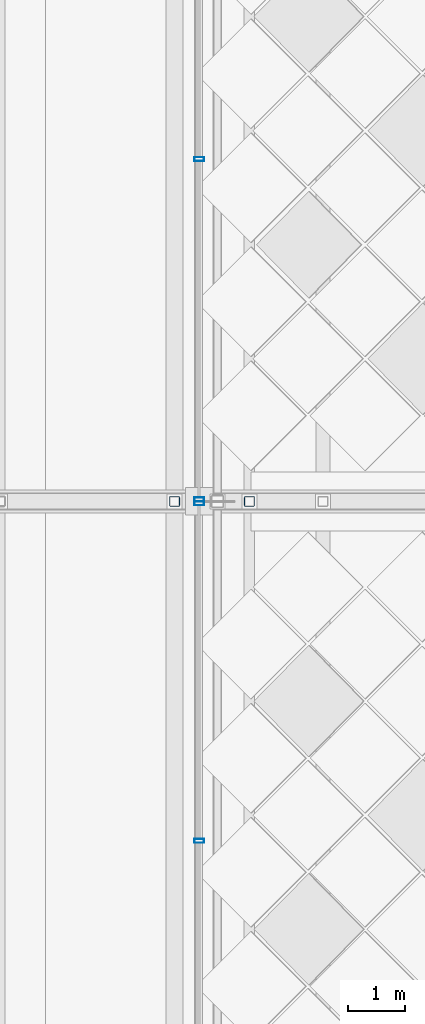
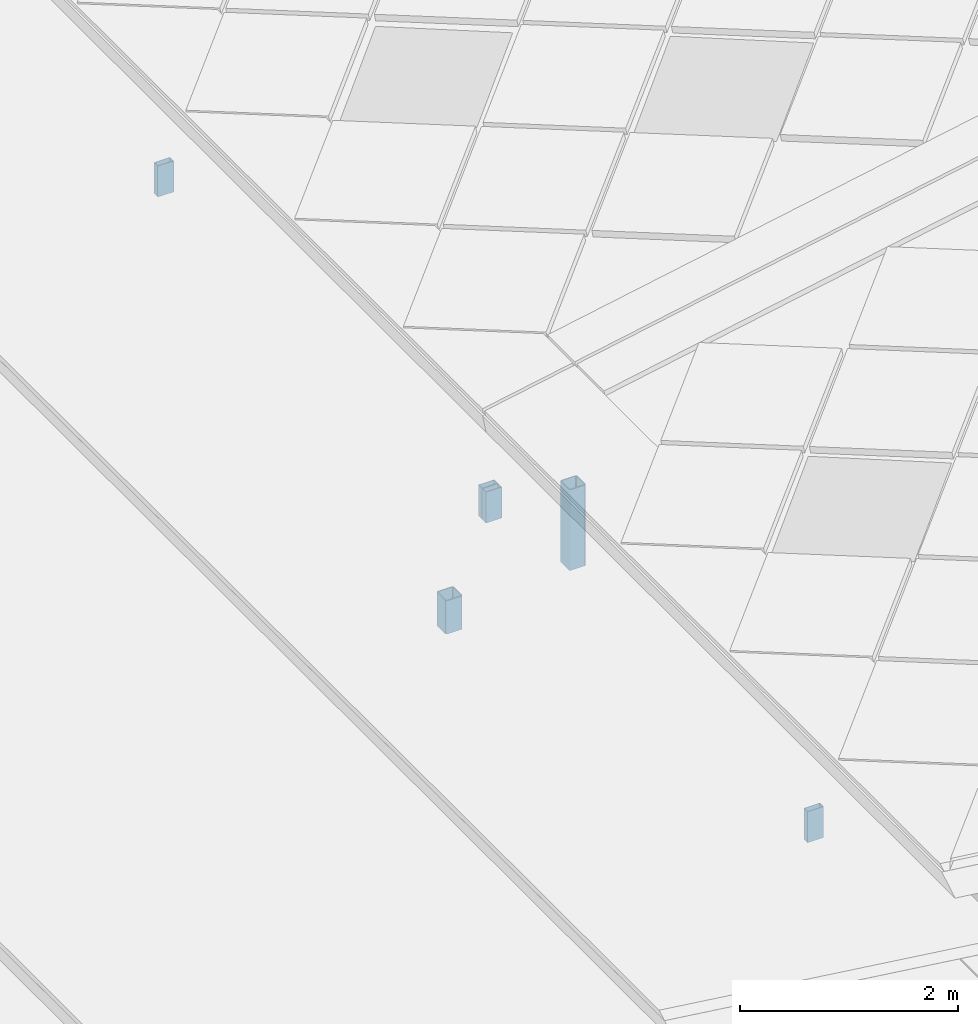
# One storey, part 57 of 117: 6 members, 2 elements without a shape of their own.
"""IFC4 building model written with IfcOpenShell, lengths in metres."""

import ifcopenshell
import ifcopenshell.guid

model = None  # the IFC model being written
_history = None  # IfcOwnerHistory: only IFC2X3 demands one
_inside = {}  # id of a spatial element -> (the spatial element, [elements in it])
_under = {}  # id of a project, library or spatial element -> (it, [spatial elements below it])
_declared = {}  # id of a project -> (the project, [libraries it declares])
_typed = {}  # id of a type object -> (the type object, [elements of that type])
_made_of = {}  # id of a material, layer set ... -> (it, [elements and type objects made of it])


def new_model(schema):
    """Start an empty IFC model of exactly this schema.

    Asked for "IFC4X3", IfcOpenShell would pick the latest addendum, in which some entities
    have other attributes; the version numbers below select the first issue.
    IFC2X3 requires an IfcOwnerHistory on every rooted entity: one is made here for all.
    """
    global model, _history
    if schema == "IFC4X3":
        model = ifcopenshell.file(schema_version=(4, 3, 0, 0))
    else:
        model = ifcopenshell.file(schema=schema)
    _inside.clear()
    _under.clear()
    _declared.clear()
    _typed.clear()
    _made_of.clear()
    _history = None
    if model.schema == "IFC2X3":
        org = make("IfcOrganization", Name="unknown")
        user = make(
            "IfcPersonAndOrganization",
            ThePerson=make("IfcPerson", FamilyName="unknown"),
            TheOrganization=org,
        )
        app = make(
            "IfcApplication",
            ApplicationDeveloper=org,
            Version="unknown",
            ApplicationFullName="unknown",
            ApplicationIdentifier="unknown",
        )
        _history = make(
            "IfcOwnerHistory",
            OwningUser=user,
            OwningApplication=app,
            ChangeAction="ADDED",
            CreationDate=0,
        )
    return model


def make(cls, **values):
    """One entity of the class cls with the attributes given. An attribute that is None is left unset."""
    return model.create_entity(
        cls, **{name: value for name, value in values.items() if value is not None}
    )


def rooted(cls, **values):
    """An entity with a GlobalId (a new one), such as an element, a storey or a relation."""
    return make(cls, GlobalId=ifcopenshell.guid.new(), OwnerHistory=_history, **values)


def si_unit(unit_type, name, prefix=None):
    """IfcSIUnit, for example si_unit("LENGTHUNIT", "METRE", prefix="MILLI")."""
    return make("IfcSIUnit", UnitType=unit_type, Prefix=prefix, Name=name)


def assignment(units):
    """IfcUnitAssignment: the units of a project."""
    return None if units is None else make("IfcUnitAssignment", Units=units)


def point(xyz):
    """IfcCartesianPoint."""
    return None if xyz is None else make("IfcCartesianPoint", Coordinates=xyz)


def direction(xyz):
    """IfcDirection."""
    return None if xyz is None else make("IfcDirection", DirectionRatios=xyz)


def frame(location, z_axis=None, x_axis=None):
    """IfcAxis2Placement3D, a coordinate frame: its origin and axes. An axis left out is left unset."""
    return make(
        "IfcAxis2Placement3D",
        Location=point(location),
        Axis=direction(z_axis),
        RefDirection=direction(x_axis),
    )


def frame_2d(location, x_axis=None):
    """IfcAxis2Placement2D, a coordinate frame in the plane: its origin and x axis."""
    return make(
        "IfcAxis2Placement2D", Location=point(location), RefDirection=direction(x_axis)
    )


def origin():
    """The frame at (0, 0, 0) with its axes left unset."""
    return frame((0.0, 0.0, 0.0))


def origin_2d():
    """The frame at (0, 0) in the plane with its x axis left unset."""
    return frame_2d((0.0, 0.0))


def place(relative_to, where):
    """IfcLocalPlacement: puts the frame where relative to a parent placement (None: the world)."""
    return make(
        "IfcLocalPlacement", PlacementRelTo=relative_to, RelativePlacement=where
    )


def context(
    kind, dimensions, precision=None, world=None, true_north=None, identifier=None
):
    """IfcGeometricRepresentationContext, for example the 3D "Model" context."""
    return make(
        "IfcGeometricRepresentationContext",
        ContextIdentifier=identifier,
        ContextType=kind,
        CoordinateSpaceDimension=dimensions,
        Precision=precision,
        WorldCoordinateSystem=world,
        TrueNorth=true_north,
    )


def subcontext(parent, identifier, kind, view, scale=None):
    """IfcGeometricRepresentationSubContext, for example "Body" below "Model"."""
    return make(
        "IfcGeometricRepresentationSubContext",
        ContextIdentifier=identifier,
        ContextType=kind,
        ParentContext=parent,
        TargetScale=scale,
        TargetView=view,
    )


def project(units=None, contexts=None):
    """IfcProject with its units and contexts."""
    return rooted(
        "IfcProject",
        Name="project",
        RepresentationContexts=contexts,
        UnitsInContext=assignment(units),
    )


def spatial(cls, under=None, at=None, **own):
    """A site, building, storey or space (cls), placed at a placement, below another one or the project."""
    s = rooted(cls, ObjectPlacement=at, **own)
    if under is not None:
        _under.setdefault(under.id(), (under, []))[1].append(s)
    return s


def profile(cls, at=None, kind="AREA", **sizes):
    """A parametric profile (cls). Its sizes go by their IFC names, for example OverallWidth=200.0."""
    return make(cls, ProfileType=kind, Position=at, **sizes)


def hollow_rectangle(**sizes):
    """IfcRectangleHollowProfileDef."""
    return profile("IfcRectangleHollowProfileDef", **sizes)


def extrude(swept, where, along, depth):
    """IfcExtrudedAreaSolid: the profile swept, set in the frame where, extruded along a direction by depth."""
    return make(
        "IfcExtrudedAreaSolid",
        SweptArea=swept,
        Position=where,
        ExtrudedDirection=direction(along),
        Depth=depth,
    )


def shape(context_of_items, identifier, shape_type, items):
    """IfcShapeRepresentation: the items that make up one representation, for example the "Body"."""
    return make(
        "IfcShapeRepresentation",
        ContextOfItems=context_of_items,
        RepresentationIdentifier=identifier,
        RepresentationType=shape_type,
        Items=items,
    )


def material(Name=None, Category=None):
    """IfcMaterial."""
    return make("IfcMaterial", Name=Name, Category=Category)


def material_profile(
    of_material, cross_section, Name=None, Category=None, Priority=None
):
    """IfcMaterialProfile: a cross section and its material."""
    return make(
        "IfcMaterialProfile",
        Name=Name,
        Material=of_material,
        Profile=cross_section,
        Priority=Priority,
        Category=Category,
    )


def profile_set(profiles, Name=None, composite=None):
    """IfcMaterialProfileSet."""
    return make(
        "IfcMaterialProfileSet",
        Name=Name,
        MaterialProfiles=profiles,
        CompositeProfile=composite,
    )


def made_of(thing, what):
    """Note that an element or type object is made of a material, layer set ...; save() writes the relation."""
    if what is not None:
        _made_of.setdefault(what.id(), (what, []))[1].append(thing)
    return thing


def type_object(cls, material=None, **own):
    """A type object (cls), such as IfcWallType, which elements share."""
    return made_of(rooted(cls, **own), material)


def element(
    cls,
    number,
    at=None,
    inside=None,
    cuts=None,
    type_object=None,
    material=None,
    context=None,
    identifier="Body",
    shape_type=None,
    held_by="IfcProductDefinitionShape",
    body=None,
    shapes=None,
    **own,
):
    """One element of the class cls, such as IfcWall. Its Tag is "e" and its number.

    at: its placement. inside: the storey or other place that contains it. cuts: it is an
    opening in that element (IfcRelVoidsElement). A single representation is given by context,
    identifier, shape_type and body (its items); several are given by shapes. held_by: the class
    of the entity that holds the representations. save() writes the other relations.
    """
    e = rooted(cls, Tag="e%d" % number, ObjectPlacement=at, **own)
    if body is not None:
        shapes = [shape(context, identifier, shape_type, body)]
    if shapes is not None:
        e.Representation = make(held_by, Representations=shapes)
    if inside is not None:
        _inside.setdefault(inside.id(), (inside, []))[1].append(e)
    if cuts is not None:
        rooted(
            "IfcRelVoidsElement", RelatingBuildingElement=cuts, RelatedOpeningElement=e
        )
    if type_object is not None:
        _typed.setdefault(type_object.id(), (type_object, []))[1].append(e)
    return made_of(e, material)


def aggregate(whole, parts):
    """IfcRelAggregates: a whole, such as a stair, and the parts it consists of."""
    return rooted("IfcRelAggregates", RelatingObject=whole, RelatedObjects=parts)


def save(model, path):
    """Write the relations noted so far, then the file.

    IfcRelAggregates (storeys below a building ...), IfcRelContainedInSpatialStructure (elements
    in a storey), IfcRelDefinesByType, IfcRelAssociatesMaterial and IfcRelDeclares: one each for
    every whole, place, type object, material and project.
    """
    for whole, parts in _under.values():
        aggregate(whole, parts)
    for where, things in _inside.values():
        rooted(
            "IfcRelContainedInSpatialStructure",
            RelatedElements=things,
            RelatingStructure=where,
        )
    for kind, things in _typed.values():
        rooted("IfcRelDefinesByType", RelatedObjects=things, RelatingType=kind)
    for what, things in _made_of.values():
        rooted("IfcRelAssociatesMaterial", RelatedObjects=things, RelatingMaterial=what)
    for by, libraries in _declared.values():
        rooted("IfcRelDeclares", RelatingContext=by, RelatedDefinitions=libraries)
    model.write(path)


model = new_model("IFC4")

# Units and contexts
model_context = context("Model", 3, precision=1e-05, world=origin(), true_north=direction((0.0, 1.0)))
body_context = subcontext(model_context, "Body", "Model", "MODEL_VIEW")
ifc_project = project(units=[si_unit("LENGTHUNIT", "METRE"), si_unit("AREAUNIT", "SQUARE_METRE"), si_unit("VOLUMEUNIT", "CUBIC_METRE"), si_unit("PLANEANGLEUNIT", "RADIAN"), si_unit("MASSUNIT", "GRAM", prefix="KILO")], contexts=[model_context])

# Site, building, storey
site_placement = place(None, origin())
site = spatial("IfcSite", under=ifc_project, at=site_placement, CompositionType="ELEMENT")
building_placement = place(site_placement, origin())
building = spatial("IfcBuilding", under=site, at=building_placement, Name="Merenkruunu Market Hall", CompositionType="ELEMENT")
storey_placement = place(building_placement, frame((0.0, 0.0, 22.800048828125)))
storey = spatial("IfcBuildingStorey", under=building, at=storey_placement, Name="RF", CompositionType="ELEMENT", Elevation=22.800048828125)

# Curtain wall, members
ifc_material_1 = material(Name="Powder-coated aluminium", Category="aluminium")
curtain_wall_type = type_object("IfcCurtainWallType", Name="Clerestory Curtain Band CL05", PredefinedType="USERDEFINED", material=ifc_material_1)
curtain_wall_1_placement = place(storey_placement, origin())
curtain_wall_1 = element("IfcCurtainWall", 1, at=curtain_wall_1_placement, inside=storey, type_object=curtain_wall_type, Name="CW-RF-CWM04-113", ObjectType="CLERESTORY_BAND", PredefinedType="USERDEFINED")
ifc_material_profile_1 = material_profile(ifc_material_1, hollow_rectangle(XDim=0.070068359375, YDim=0.169921875, WallThickness=0.0048828125, at=origin_2d()), Name="ALU 70x170x5")
ifc_profile_set_1 = profile_set([ifc_material_profile_1], Name="Powder-coated aluminium")
member_type_1 = type_object("IfcMemberType", Name="Curtain Wall Mullion CWM04", PredefinedType="MULLION", material=ifc_profile_set_1)
member_1_placement = place(storey_placement, frame((18.8798828125, 33.64990234375, -1.241943359375), z_axis=(0.0, 0.0, 1.0), x_axis=(0.0, 1.0, 0.0)))
member_1 = element("IfcMember", 2, at=member_1_placement, type_object=member_type_1, Name="CL05 mullion 4", PredefinedType="MULLION", context=body_context, shape_type="SweptSolid", body=[
    extrude(hollow_rectangle(XDim=0.070068359375, YDim=0.169921875, WallThickness=0.0048828125, at=origin_2d()), origin(), (0.0, 0.0, 1.0), 0.347900390625),
])
member_2_placement = place(storey_placement, frame((18.8798828125, 39.56494140625, -1.241943359375), z_axis=(0.0, 0.0, 1.0), x_axis=(0.0, 1.0, 0.0)))
member_2 = element("IfcMember", 3, at=member_2_placement, type_object=member_type_1, Name="CL05 mullion 5", PredefinedType="MULLION", context=body_context, shape_type="SweptSolid", body=[
    extrude(hollow_rectangle(XDim=0.070068359375, YDim=0.169921875, WallThickness=0.0048828125, at=origin_2d()), origin(), (0.0, 0.0, 1.0), 0.347900390625),
])
aggregate(curtain_wall_1, [member_1, member_2])

curtain_wall_2_placement = place(storey_placement, origin())
curtain_wall_2 = element("IfcCurtainWall", 4, at=curtain_wall_2_placement, inside=storey, type_object=curtain_wall_type, Name="CW-RF-CWM04-115", ObjectType="CLERESTORY_BAND", PredefinedType="USERDEFINED")
member_3_placement = place(storey_placement, frame((18.8798828125, 39.635009765625, -1.241943359375), z_axis=(0.0, 0.0, 1.0), x_axis=(0.0, 1.0, 0.0)))
member_3 = element("IfcMember", 5, at=member_3_placement, type_object=member_type_1, Name="CL05 mullion 1", PredefinedType="MULLION", context=body_context, shape_type="SweptSolid", body=[
    extrude(hollow_rectangle(XDim=0.070068359375, YDim=0.169921875, WallThickness=0.0048828125, at=origin_2d()), origin(), (0.0, 0.0, 1.0), 0.347900390625),
])
member_4_placement = place(storey_placement, frame((18.8798828125, 45.60009765625, -1.241943359375), z_axis=(0.0, 0.0, 1.0), x_axis=(0.0, 1.0, 0.0)))
member_4 = element("IfcMember", 6, at=member_4_placement, type_object=member_type_1, Name="CL05 mullion 2", PredefinedType="MULLION", context=body_context, shape_type="SweptSolid", body=[
    extrude(hollow_rectangle(XDim=0.070068359375, YDim=0.169921875, WallThickness=0.0048828125, at=origin_2d()), origin(), (0.0, 0.0, 1.0), 0.347900390625),
])
aggregate(curtain_wall_2, [member_3, member_4])

# Members
ifc_material_2 = material(Name="Steel S355J2", Category="steel")
ifc_material_profile_2 = material_profile(ifc_material_2, hollow_rectangle(XDim=0.179931640625, YDim=0.179931640625, WallThickness=0.010009765625, InnerFilletRadius=0.010009765625, OuterFilletRadius=0.02001953125, at=origin_2d()), Name="SHS 180x180x10")
ifc_profile_set_2 = profile_set([ifc_material_profile_2], Name="Steel S355J2")
member_type_2 = type_object("IfcMemberType", Name="Diagonal Sway Brace BR05", PredefinedType="BRACE", material=ifc_profile_set_2)
member_5_placement = place(storey_placement, frame((18.449951171875, 39.60009765625, -2.326904296875), z_axis=(0.0, 0.0, 1.0), x_axis=(1.0, 0.0, 0.0)))
element("IfcMember", 7, at=member_5_placement, inside=storey, type_object=member_type_2, Name="TRUSS-AT-3-RISER-W5-2", PredefinedType="BRACE", context=body_context, shape_type="SweptSolid", body=[
    extrude(hollow_rectangle(XDim=0.179931640625, YDim=0.179931640625, WallThickness=0.010009765625, InnerFilletRadius=0.010009765625, OuterFilletRadius=0.02001953125, at=origin_2d()), origin(), (0.0, 0.0, 1.0), 0.37451171875),
])
member_6_placement = place(storey_placement, frame((19.760009765625, 39.60009765625, -2.07080078125), z_axis=(0.0, 0.0, 1.0), x_axis=(1.0, 0.0, 0.0)))
element("IfcMember", 8, at=member_6_placement, inside=storey, type_object=member_type_2, Name="TRUSS-AT-3-RISER-W6-1", PredefinedType="BRACE", context=body_context, shape_type="SweptSolid", body=[
    extrude(hollow_rectangle(XDim=0.179931640625, YDim=0.179931640625, WallThickness=0.010009765625, InnerFilletRadius=0.010009765625, OuterFilletRadius=0.02001953125, at=origin_2d()), origin(), (0.0, 0.0, 1.0), 0.90576171875),
])

save(model, "model.ifc")
